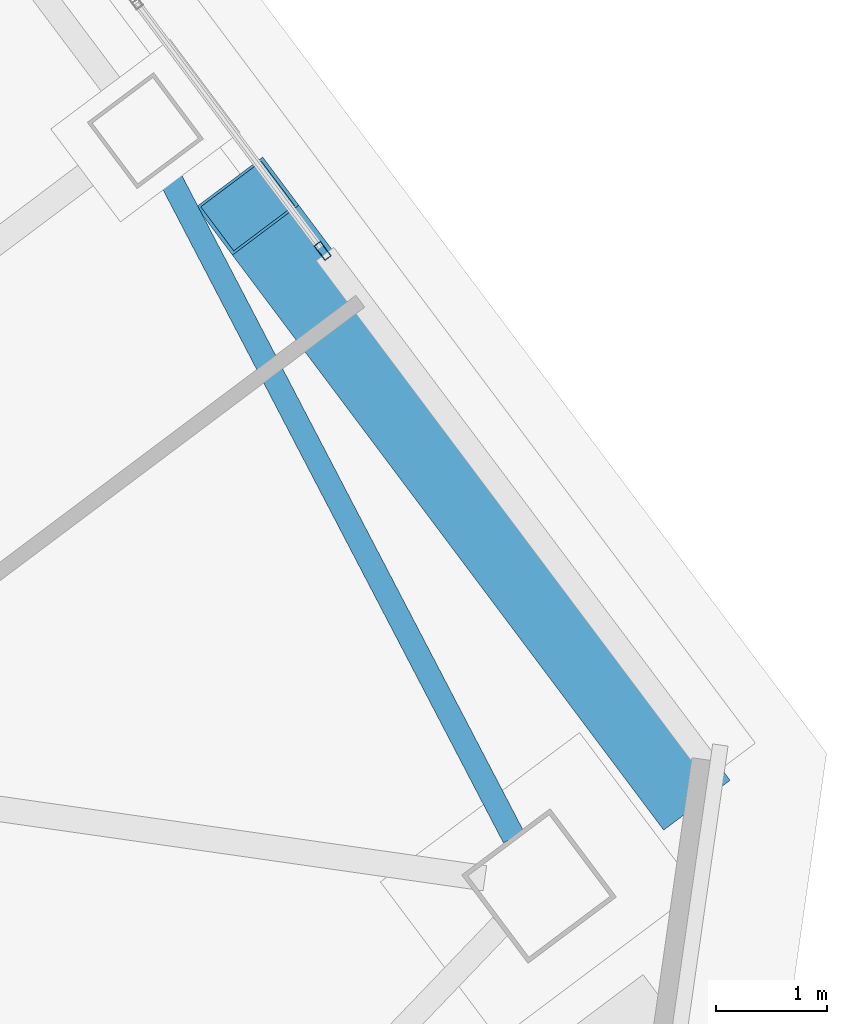
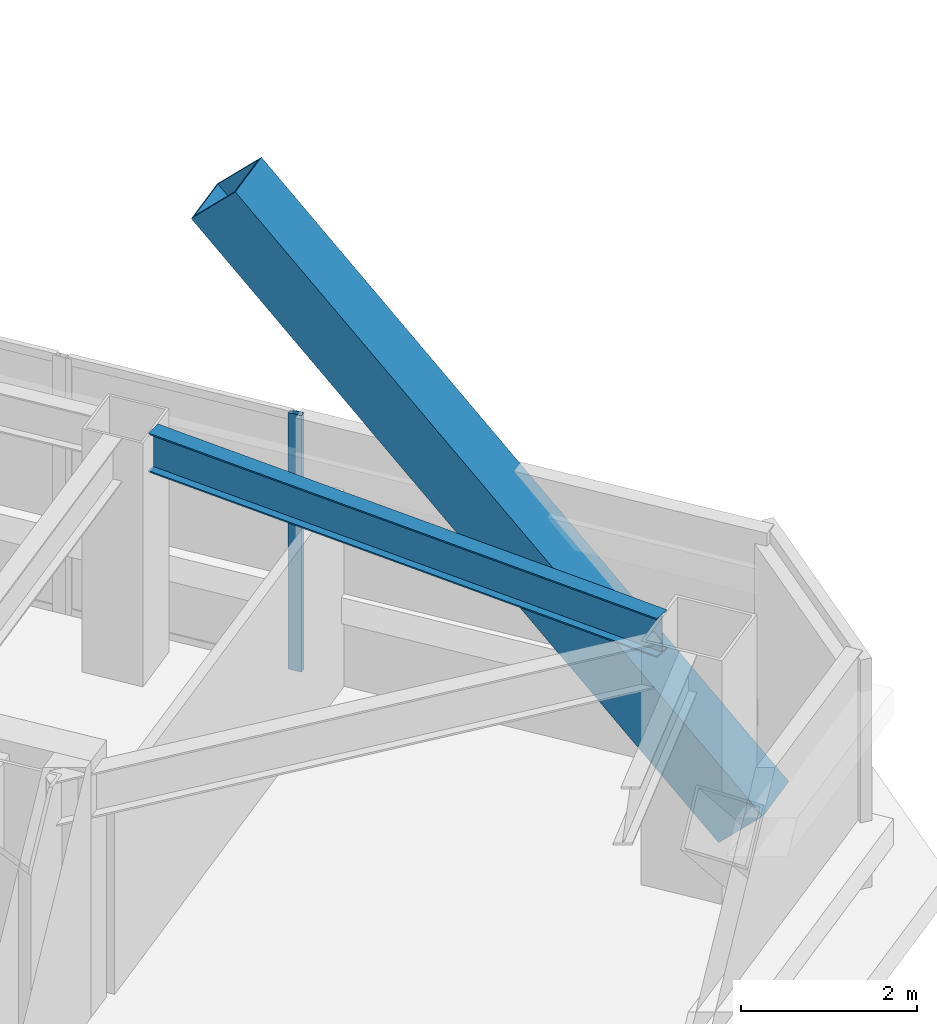
# One storey, part 26 of 39: 2 members, 1 beam, 1 element without a shape of its own.
"""IFC4 building model written with IfcOpenShell, lengths in metres."""

from ifc_helpers import new_model, si_unit, direction, frame, origin, origin_2d, place, context, subcontext, project, spatial, hollow_rectangle, i_section, extrude, material, material_profile, profile_set, type_object, element, aggregate, save


model = new_model("IFC4")

# Units and contexts
model_context = context("Model", 3, precision=1e-05, world=origin(), true_north=direction((0.0, 1.0)))
body_context = subcontext(model_context, "Body", "Model", "MODEL_VIEW")
ifc_project = project(units=[si_unit("LENGTHUNIT", "METRE"), si_unit("AREAUNIT", "SQUARE_METRE"), si_unit("VOLUMEUNIT", "CUBIC_METRE"), si_unit("PLANEANGLEUNIT", "RADIAN"), si_unit("MASSUNIT", "GRAM", prefix="KILO")], contexts=[model_context])

# Site, building, storey
site_placement = place(None, origin())
site = spatial("IfcSite", under=ifc_project, at=site_placement, CompositionType="ELEMENT")
building_placement = place(site_placement, origin())
building = spatial("IfcBuilding", under=site, at=building_placement, Name="Tashvorn Skyway Center", CompositionType="ELEMENT")
storey_placement = place(building_placement, frame((0.0, 0.0, 232.60009765625)))
storey = spatial("IfcBuildingStorey", under=building, at=storey_placement, Name="L63", CompositionType="ELEMENT", Elevation=232.60009765625)

# Beam
ifc_material_1 = material(Name="Steel ASTM A992 Grade 50", Category="steel")
ifc_material_profile_1 = material_profile(ifc_material_1, i_section(OverallWidth=0.2109375, OverallDepth=0.5390625, WebThickness=0.01171875, FlangeThickness=0.018798828125, at=origin_2d()), Name="W21X73")
ifc_profile_set_1 = profile_set([ifc_material_profile_1], Name="Steel ASTM A992 Grade 50")
beam_type = type_object("IfcBeamType", Name="BM-SPANDREL-W21X73", PredefinedType="SPANDREL", material=ifc_profile_set_1)
beam_placement = place(storey_placement, frame((131.97119140625, 29.8388671875, 3.100341796875), z_axis=(-0.462204749472, 0.886773234579, 0.0), x_axis=(-0.886773234579, -0.462204749472, 0.0)))
element("IfcBeam", 1, at=beam_placement, inside=storey, type_object=beam_type, Name="Tower 2 L63 Spandrel Beam 04", PredefinedType="SPANDREL", context=body_context, shape_type="SweptSolid", body=[
    extrude(i_section(OverallWidth=0.2109375, OverallDepth=0.5390625, WebThickness=0.01171875, FlangeThickness=0.018798828125, at=origin_2d()), origin(), (0.0, 0.0, 1.0), 6.837158203125),
])

# Curtain wall, member
ifc_material_2 = material(Name="Thermally broken bronze-anodized aluminium 6063-T6", Category="aluminium")
curtain_wall_type = type_object("IfcCurtainWallType", Name="CW-CW-Z5", PredefinedType="NOTDEFINED", material=ifc_material_2)
curtain_wall_placement = place(storey_placement, origin())
curtain_wall = element("IfcCurtainWall", 2, at=curtain_wall_placement, inside=storey, type_object=curtain_wall_type, Name="Tower 2 L63 East Unitised Curtain Wall Glazing Group 3", PredefinedType="NOTDEFINED")
ifc_material_profile_2 = material_profile(ifc_material_2, hollow_rectangle(XDim=0.070068359375, YDim=0.1650390625, WallThickness=0.00390625, at=origin_2d()), Name="ALU-MULL-70x165")
ifc_profile_set_2 = profile_set([ifc_material_profile_2], Name="Thermally broken bronze-anodized aluminium 6063-T6")
member_type_1 = type_object("IfcMemberType", Name="CWM-CW-Z5", PredefinedType="MULLION", material=ifc_profile_set_2)
member_1_placement = place(storey_placement, frame((130.242919921875, 35.142578125, 0.0), z_axis=(0.0, 0.0, 1.0), x_axis=(0.799995871508, 0.600005504617, 0.0)))
member_1 = element("IfcMember", 3, at=member_1_placement, type_object=member_type_1, Name="CW-Z5 mullion 2", PredefinedType="MULLION", context=body_context, shape_type="SweptSolid", body=[
    extrude(hollow_rectangle(XDim=0.070068359375, YDim=0.1650390625, WallThickness=0.00390625, at=origin_2d()), origin(), (0.0, 0.0, 1.0), 3.5498046875),
])
aggregate(curtain_wall, [member_1])

# Member
ifc_material_3 = material(Name="Steel ASTM A572 Grade 50", Category="steel")
ifc_material_profile_3 = material_profile(ifc_material_3, hollow_rectangle(XDim=0.75, YDim=0.75, WallThickness=0.031982421875, at=origin_2d()), Name="BOX750x750x32")
ifc_profile_set_3 = profile_set([ifc_material_profile_3], Name="Steel ASTM A572 Grade 50")
member_type_2 = type_object("IfcMemberType", Name="MEM-MB-750", PredefinedType="BRACE", material=ifc_profile_set_3)
member_2_placement = place(storey_placement, frame((133.464111328125, 30.347900390625, -0.2001953125), z_axis=(-0.413004193232, 0.550672257643, 0.725387896946), x_axis=(-0.8, -0.6, 0.0)))
element("IfcMember", 4, at=member_2_placement, inside=storey, type_object=member_type_2, Name="Tower 2 Zone 6 E Chevron Mega-Brace L1", PredefinedType="BRACE", context=body_context, shape_type="SweptSolid", body=[
    extrude(hollow_rectangle(XDim=0.75, YDim=0.75, WallThickness=0.031982421875, at=origin_2d()), origin(), (0.0, 0.0, 1.0), 9.443359375),
])

save(model, "model.ifc")
